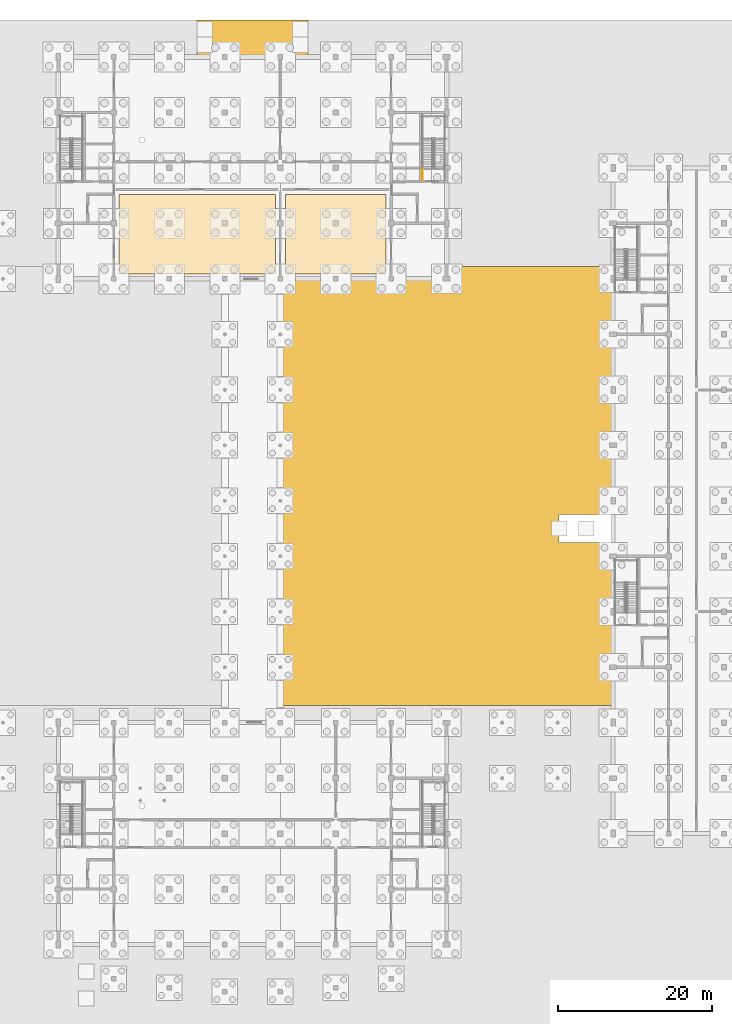
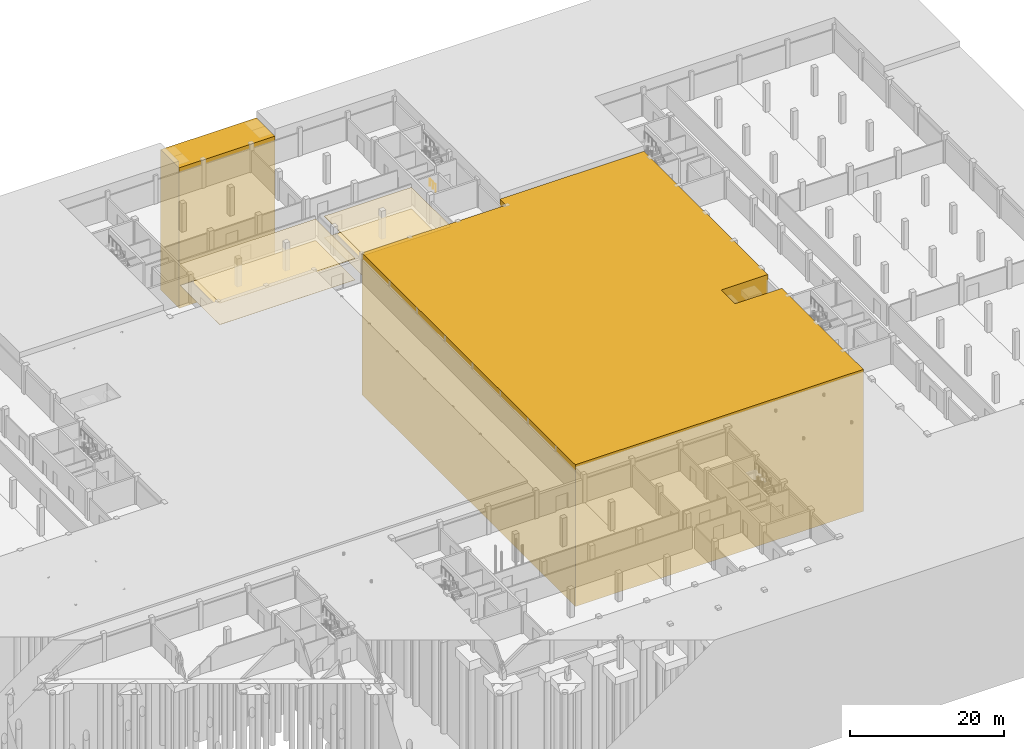
# One storey, part 45 of 51: 6 coverings, 1 railing.
"""IFC4 building model written with IfcOpenShell, lengths in metres."""

from ifc_helpers import new_model, si_unit, direction, frame, origin, origin_2d, place, context, subcontext, project, spatial, polyline, circle, outline, extrude, material, layer, layer_set, type_object, element, save


model = new_model("IFC4")

# Units and contexts
model_context = context("Model", 3, precision=1e-05, world=origin(), true_north=direction((0.0, 1.0)))
body_context = subcontext(model_context, "Body", "Model", "MODEL_VIEW")
ifc_project = project(units=[si_unit("LENGTHUNIT", "METRE"), si_unit("AREAUNIT", "SQUARE_METRE"), si_unit("VOLUMEUNIT", "CUBIC_METRE"), si_unit("PLANEANGLEUNIT", "RADIAN"), si_unit("MASSUNIT", "GRAM", prefix="KILO")], contexts=[model_context])

# Site, building, storey
site_placement = place(None, origin())
site = spatial("IfcSite", under=ifc_project, at=site_placement, CompositionType="ELEMENT")
building_placement = place(site_placement, origin())
building = spatial("IfcBuilding", under=site, at=building_placement, Name="Zlatovets Crest Museum", CompositionType="ELEMENT")
storey_placement = place(building_placement, frame((0.0, 0.0, -4.5)))
storey = spatial("IfcBuildingStorey", under=building, at=storey_placement, Name="B1", CompositionType="ELEMENT", Elevation=-4.5)

# Coverings
ifc_material_1 = material(Name="Micro-perforated gypsum acoustic gallery ceiling")
ifc_layer_1 = layer(ifc_material_1, 0.050048828125)
ifc_layer_set_1 = layer_set([ifc_layer_1], Name="Micro-perforated gypsum acoustic gallery ceiling")
covering_type_1 = type_object("IfcCoveringType", Name="GalleryCeiling_CLG1", PredefinedType="CEILING", material=ifc_layer_set_1)
covering_1_placement = place(storey_placement, frame((0.0, 0.0, 3.389892578125)))
element("IfcCovering", 1, at=covering_1_placement, inside=storey, type_object=covering_type_1, Name="Ancient Serdica Lapidarium Gallery Acoustic Ceiling", PredefinedType="CEILING", context=body_context, shape_type="SweptSolid", body=[
    extrude(outline(polyline([(65.449951171875, 87.050048828125), (85.75, 87.050048828125), (85.75, 97.35009765625), (65.449951171875, 97.35009765625), (65.449951171875, 87.050048828125)])), origin(), (0.0, 0.0, 1.0), 0.050048828125),
])
covering_2_placement = place(storey_placement, frame((0.0, 0.0, 3.389892578125)))
element("IfcCovering", 2, at=covering_2_placement, inside=storey, type_object=covering_type_1, Name="Thracian Epigraphy Exhibition Gallery Acoustic Ceiling", PredefinedType="CEILING", context=body_context, shape_type="SweptSolid", body=[
    extrude(outline(polyline([(87.050048828125, 87.050048828125), (100.14990234375, 87.050048828125), (100.14990234375, 97.35009765625), (87.050048828125, 97.35009765625), (87.050048828125, 87.050048828125)])), origin(), (0.0, 0.0, 1.0), 0.050048828125),
])
ifc_material_2 = material(Name="Quarter-sawn European oak herringbone gallery parquet")
ifc_layer_2 = layer(ifc_material_2, 0.030029296875)
ifc_layer_set_2 = layer_set([ifc_layer_2], Name="Quarter-sawn European oak herringbone gallery parquet")
covering_type_2 = type_object("IfcCoveringType", Name="GalleryFloor_FLR1", PredefinedType="FLOORING", material=ifc_layer_set_2)
covering_3_placement = place(storey_placement, origin())
element("IfcCovering", 3, at=covering_3_placement, inside=storey, type_object=covering_type_2, Name="Ancient Serdica Lapidarium Gallery Floor Finish", PredefinedType="FLOORING", context=body_context, shape_type="SweptSolid", body=[
    extrude(outline(polyline([(65.449951171875, 87.050048828125), (85.75, 87.050048828125), (85.75, 97.35009765625), (65.449951171875, 97.35009765625), (65.449951171875, 87.050048828125)])), origin(), (0.0, 0.0, 1.0), 0.030029296875),
])
covering_4_placement = place(storey_placement, origin())
element("IfcCovering", 4, at=covering_4_placement, inside=storey, type_object=covering_type_2, Name="Thracian Epigraphy Exhibition Gallery Floor Finish", PredefinedType="FLOORING", context=body_context, shape_type="SweptSolid", body=[
    extrude(outline(polyline([(87.050048828125, 87.050048828125), (100.14990234375, 87.050048828125), (100.14990234375, 97.35009765625), (87.050048828125, 97.35009765625), (87.050048828125, 87.050048828125)])), origin(), (0.0, 0.0, 1.0), 0.030029296875),
])
ifc_material_3 = material(Name="Bush-hammered Vratsa stone court paving", Category="masonry")
ifc_layer_3 = layer(ifc_material_3, 0.080078125)
ifc_layer_set_3 = layer_set([ifc_layer_3], Name="Bush-hammered Vratsa stone court paving")
covering_type_3 = type_object("IfcCoveringType", Name="SitePaving_PV01", PredefinedType="USERDEFINED", material=ifc_layer_set_3)
covering_5_placement = place(storey_placement, frame((0.0, 0.0, -18.0)))
element("IfcCovering", 5, at=covering_5_placement, inside=storey, type_object=covering_type_3, Name="Stepped Vratsa Stone Hillside Plinth CENTRAL-COURT", ObjectType="PAVING", PredefinedType="USERDEFINED", context=body_context, shape_type="SweptSolid", body=[
    extrude(outline(polyline([(129.60009765625, 55.800048828125), (122.60009765625, 55.800048828125), (122.60009765625, 52.199951171875), (129.60009765625, 52.199951171875), (129.60009765625, 31.0), (86.39990234375, 31.0), (86.39990234375, 86.39990234375), (108.0, 86.39990234375), (108.0, 88.0), (129.60009765625, 88.0), (129.60009765625, 55.800048828125)])), origin(), (0.0, 0.0, 1.0), 22.47998046875),
])
covering_6_placement = place(storey_placement, frame((0.0, 0.0, -18.0)))
element("IfcCovering", 6, at=covering_6_placement, inside=storey, type_object=covering_type_3, Name="Stepped Vratsa Stone Hillside Plinth NORTH-APRON", ObjectType="PAVING", PredefinedType="USERDEFINED", context=body_context, shape_type="SweptSolid", body=[
    extrude(outline(polyline([(90.0, 115.199951171875), (90.0, 120.0), (75.60009765625, 120.0), (75.60009765625, 115.199951171875), (90.0, 115.199951171875)])), origin(), (0.0, 0.0, 1.0), 22.260009765625),
])

# Railing
ifc_material_4 = material(Name="Painted steel safety guardrail", Category="steel")
railing_type = type_object("IfcRailingType", Name="StairGuard_SG01", PredefinedType="GUARDRAIL", material=ifc_material_4)
railing_placement = place(storey_placement, frame((104.85009765625, 99.199951171875, 0.0)))
element("IfcRailing", 7, at=railing_placement, inside=storey, type_object=railing_type, Name="B1 ST7 stair guard 8", PredefinedType="GUARDRAIL", context=body_context, shape_type="SweptSolid", body=[
    extrude(circle(Radius=0.02392578125, at=origin_2d()), frame((0.0, 0.0, 1.076171875), z_axis=(0.0, 1.0, 0.0), x_axis=(-1.0, 0.0, 0.0)), (0.0, 0.0, 1.0), 1.5),
    extrude(circle(Radius=0.02099609375, at=origin_2d()), origin(), (0.0, 0.0, 1.0), 1.052001953125),
    extrude(circle(Radius=0.02099609375, at=origin_2d()), frame((0.0, 0.75, 0.0)), (0.0, 0.0, 1.0), 1.052001953125),
    extrude(circle(Radius=0.02099609375, at=origin_2d()), frame((0.0, 1.5, 0.0)), (0.0, 0.0, 1.0), 1.052001953125),
])

save(model, "model.ifc")
